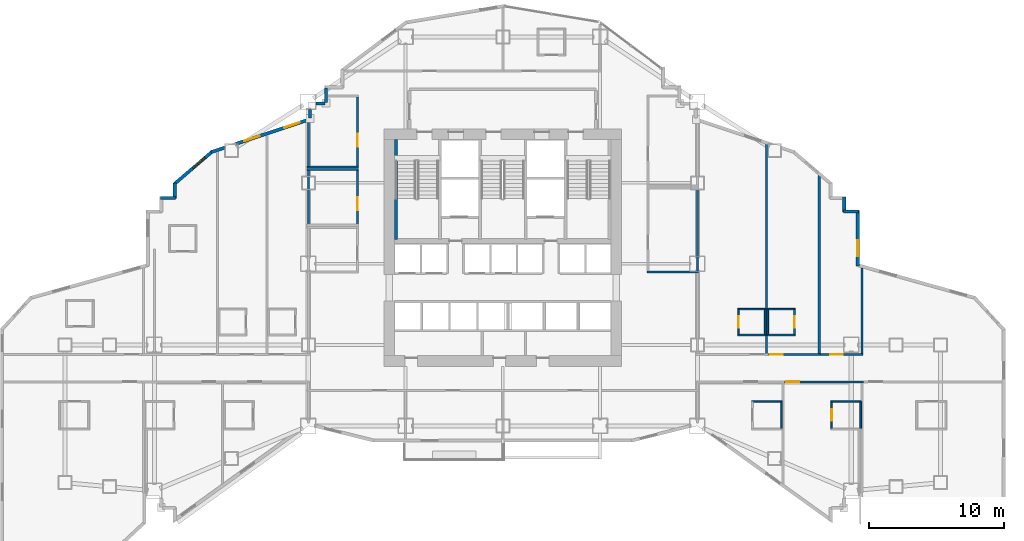
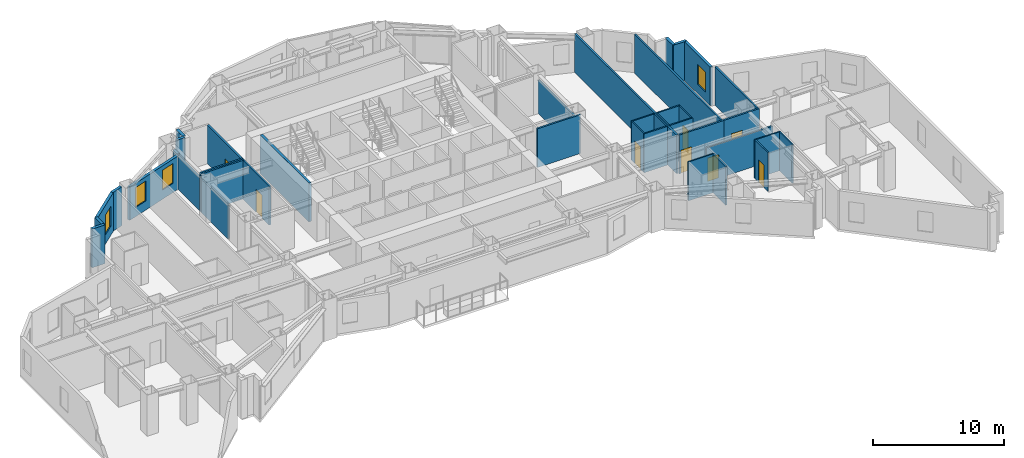
# One storey, part 10 of 15: 39 walls, 8 doors, 4 windows, 12 openings.
"""IFC4 building model written with IfcOpenShell, lengths in metres."""

from ifc_helpers import new_model, si_unit, direction, frame, frame_2d, origin, place, context, subcontext, project, spatial, rectangle, extrude, material, layer, layer_set, type_object, element, fill, save


model = new_model("IFC4")

# Units and contexts
model_context = context("Model", 3, precision=1e-05, world=origin(), true_north=direction((0.0, 1.0)))
body_context = subcontext(model_context, "Body", "Model", "MODEL_VIEW")
ifc_project = project(units=[si_unit("LENGTHUNIT", "METRE"), si_unit("AREAUNIT", "SQUARE_METRE"), si_unit("VOLUMEUNIT", "CUBIC_METRE"), si_unit("PLANEANGLEUNIT", "RADIAN"), si_unit("MASSUNIT", "GRAM", prefix="KILO")], contexts=[model_context])

# Site, building, storey
site_placement = place(None, origin())
site = spatial("IfcSite", under=ifc_project, at=site_placement, CompositionType="ELEMENT")
building_placement = place(site_placement, origin())
building = spatial("IfcBuilding", under=site, at=building_placement, Name="Haolan Belvedere Tower", CompositionType="ELEMENT")
storey_placement = place(building_placement, frame((0.0, 0.0, 66.60009765625)))
storey = spatial("IfcBuildingStorey", under=building, at=storey_placement, Name="L16", CompositionType="ELEMENT", Elevation=66.60009765625)

# Wall, opening, window
ifc_material_1 = material(Name="Precast concrete C40/50", Category="concrete")
ifc_layer_1 = layer(ifc_material_1, 0.239990234375, Name="Precast concrete C40/50")
ifc_layer_set_1 = layer_set([ifc_layer_1], Name="Precast concrete C40/50")
wall_type_1 = type_object("IfcWallType", Name="WL-EXT-240", PredefinedType="SOLIDWALL", material=ifc_layer_set_1)
wall_1_placement = place(storey_placement, frame((64.679931640625, 33.453857421875, 0.0), z_axis=(0.0, 0.0, 1.0), x_axis=(0.0, 1.0, 0.0)))
wall_1 = element("IfcWall", 1, at=wall_1_placement, inside=storey, type_object=wall_type_1, Name="L16 pale-metal exterior spandrel wall 29.1", PredefinedType="SOLIDWALL", context=body_context, shape_type="SweptSolid", body=[
    extrude(rectangle(XDim=4.0810546875, YDim=0.239990234375, at=frame_2d((2.04052734375, 0.0))), origin(), (0.0, 0.0, 1.0), 3.599853515625),
])
opening_1_placement = place(wall_1_placement, frame((0.699951171875, 0.0, 0.85009765625)))
opening_1 = element("IfcOpeningElement", 2, at=opening_1_placement, cuts=wall_1, Name="Opening W-01", PredefinedType="OPENING", context=body_context, shape_type="SweptSolid", body=[
    extrude(rectangle(XDim=1.199951171875, YDim=1.85009765625, at=frame_2d((0.60009765625, 0.925048828125))), frame((0.0, 0.1298828125, 0.0), z_axis=(0.0, -1.0, 0.0), x_axis=(1.0, 0.0, 0.0)), (0.0, 0.0, 1.0), 0.260009765625),
])
ifc_material_2 = material(Name="Anodised aluminium 6063-T6 and Low-E glass", Category="aluminium")
window_type = type_object("IfcWindowType", Name="WN-DECO-Z1", PartitioningType="SINGLE_PANEL", PredefinedType="WINDOW", material=ifc_material_2)
window_1_placement = place(opening_1_placement, origin())
window_1 = element("IfcWindow", 3, at=window_1_placement, inside=storey, type_object=window_type, Name="L16 Art Deco chevron window 1", OverallHeight=1.85009765625, OverallWidth=1.199951171875, PartitioningType="SINGLE_PANEL", PredefinedType="WINDOW", context=body_context, shape_type="SweptSolid", body=[
    extrude(rectangle(XDim=1.199951171875, YDim=1.85009765625, at=frame_2d((0.60009765625, 0.925048828125))), frame((0.0, 0.030029296875, 0.0), z_axis=(0.0, -1.0, 0.0), x_axis=(1.0, 0.0, 0.0)), (0.0, 0.0, 1.0), 0.06005859375),
])
fill(opening_1, window_1)

# Walls
wall_2_placement = place(storey_placement, frame((64.735107421875, 37.47998046875, 0.0), z_axis=(0.0, 0.0, 1.0), x_axis=(-1.0, 0.0, 0.0)))
element("IfcWall", 4, at=wall_2_placement, inside=storey, type_object=wall_type_1, Name="L16 pale-metal exterior spandrel wall 30.1", PredefinedType="SOLIDWALL", context=body_context, shape_type="SweptSolid", body=[
    extrude(rectangle(XDim=1.110107421875, YDim=0.239990234375, at=frame_2d((0.55517578125, 0.0))), origin(), (0.0, 0.0, 1.0), 3.599853515625),
])
wall_3_placement = place(storey_placement, frame((63.679931640625, 37.425048828125, 0.0), z_axis=(0.0, 0.0, 1.0), x_axis=(0.0, 1.0, 0.0)))
element("IfcWall", 5, at=wall_3_placement, inside=storey, type_object=wall_type_1, Name="L16 pale-metal exterior spandrel wall 31.1", PredefinedType="SOLIDWALL", context=body_context, shape_type="SweptSolid", body=[
    extrude(rectangle(XDim=1.10986328125, YDim=0.239990234375, at=frame_2d((0.554931640625, 0.0))), origin(), (0.0, 0.0, 1.0), 3.599853515625),
])
wall_4_placement = place(storey_placement, frame((25.320068359375, 46.614990234375, 0.0), z_axis=(0.0, 0.0, 1.0), x_axis=(0.0, -1.0, 0.0)))
element("IfcWall", 6, at=wall_4_placement, inside=storey, type_object=wall_type_1, Name="L16 pale-metal exterior spandrel wall 47.1", PredefinedType="SOLIDWALL", context=body_context, shape_type="SweptSolid", body=[
    extrude(rectangle(XDim=1.050048828125, YDim=0.239990234375, at=frame_2d((0.52490234375, 0.0))), origin(), (0.0, 0.0, 1.0), 3.599853515625),
])
wall_5_placement = place(storey_placement, frame((25.235107421875, 45.47998046875, 0.0), z_axis=(0.0, 0.0, 1.0), x_axis=(-1.0, 0.0, 0.0)))
element("IfcWall", 7, at=wall_5_placement, inside=storey, type_object=wall_type_1, Name="L16 pale-metal exterior spandrel wall 48.1", PredefinedType="SOLIDWALL", context=body_context, shape_type="SweptSolid", body=[
    extrude(rectangle(XDim=0.668212890625, YDim=0.239990234375, at=frame_2d((0.333984375, 0.0))), origin(), (0.0, 0.0, 1.0), 3.599853515625),
])
wall_6_placement = place(storey_placement, frame((24.1201171875, 45.032958984375, 0.0), z_axis=(0.0, 0.0, 1.0), x_axis=(0.0, -1.0, 0.0)))
element("IfcWall", 8, at=wall_6_placement, inside=storey, type_object=wall_type_1, Name="L16 pale-metal exterior spandrel wall 49.1", PredefinedType="SOLIDWALL", context=body_context, shape_type="SweptSolid", body=[
    extrude(rectangle(XDim=0.634521484375, YDim=0.239990234375, at=frame_2d((0.3173828125, 0.0))), origin(), (0.0, 0.0, 1.0), 3.096923828125),
])

# Wall, openings, windows
wall_7_placement = place(storey_placement, frame((24.039306640625, 44.28662109375, 0.0), z_axis=(0.0, 0.0, 1.0), x_axis=(-0.948678995954, -0.316240672014, 0.0)))
wall_7 = element("IfcWall", 9, at=wall_7_placement, inside=storey, type_object=wall_type_1, Name="L16 pale-metal exterior spandrel wall 50.1", PredefinedType="SOLIDWALL", context=body_context, shape_type="SweptSolid", body=[
    extrude(rectangle(XDim=5.675048828125, YDim=0.239990234375, at=frame_2d((2.83740234375, 0.0))), origin(), (0.0, 0.0, 1.0), 3.096923828125),
])
opening_2_placement = place(wall_7_placement, frame((0.699951171875, 0.0, 0.85009765625)))
opening_2 = element("IfcOpeningElement", 10, at=opening_2_placement, cuts=wall_7, Name="Opening W-01", PredefinedType="OPENING", context=body_context, shape_type="SweptSolid", body=[
    extrude(rectangle(XDim=1.199951171875, YDim=1.85009765625, at=frame_2d((0.60009765625, 0.925048828125))), frame((0.0, 0.1298828125, 0.0), z_axis=(0.0, -1.0, 0.0), x_axis=(1.0, 0.0, 0.0)), (0.0, 0.0, 1.0), 0.260009765625),
])
opening_3_placement = place(wall_7_placement, frame((3.833984375, 0.0, 0.85009765625)))
opening_3 = element("IfcOpeningElement", 11, at=opening_3_placement, cuts=wall_7, Name="Opening W-01", PredefinedType="OPENING", context=body_context, shape_type="SweptSolid", body=[
    extrude(rectangle(XDim=1.199951171875, YDim=1.85009765625, at=frame_2d((0.60009765625, 0.925048828125))), frame((0.0, 0.1298828125, 0.0), z_axis=(0.0, -1.0, 0.0), x_axis=(1.0, 0.0, 0.0)), (0.0, 0.0, 1.0), 0.260009765625),
])
window_2_placement = place(opening_2_placement, origin())
window_2 = element("IfcWindow", 12, at=window_2_placement, inside=storey, type_object=window_type, Name="L16 Art Deco chevron window 1", OverallHeight=1.85009765625, OverallWidth=1.199951171875, PartitioningType="SINGLE_PANEL", PredefinedType="WINDOW", context=body_context, shape_type="SweptSolid", body=[
    extrude(rectangle(XDim=1.199951171875, YDim=1.85009765625, at=frame_2d((0.60009765625, 0.925048828125))), frame((0.0, 0.030029296875, 0.0), z_axis=(0.0, -1.0, 0.0), x_axis=(1.0, 0.0, 0.0)), (0.0, 0.0, 1.0), 0.06005859375),
])
fill(opening_2, window_2)
window_3_placement = place(opening_3_placement, origin())
window_3 = element("IfcWindow", 13, at=window_3_placement, inside=storey, type_object=window_type, Name="L16 Art Deco guestroom window 1", OverallHeight=1.85009765625, OverallWidth=1.199951171875, PartitioningType="SINGLE_PANEL", PredefinedType="WINDOW", context=body_context, shape_type="SweptSolid", body=[
    extrude(rectangle(XDim=1.199951171875, YDim=1.85009765625, at=frame_2d((0.60009765625, 0.925048828125))), frame((0.0, 0.030029296875, 0.0), z_axis=(0.0, -1.0, 0.0), x_axis=(1.0, 0.0, 0.0)), (0.0, 0.0, 1.0), 0.06005859375),
])
fill(opening_3, window_3)

# Wall
wall_8_placement = place(storey_placement, frame((17.80810546875, 42.20947265625, 0.0), z_axis=(0.0, 0.0, 1.0), x_axis=(-0.948706457285, -0.316158279832, 0.0)))
element("IfcWall", 14, at=wall_8_placement, inside=storey, type_object=wall_type_1, Name="L16 pale-metal exterior spandrel wall 50.2", PredefinedType="SOLIDWALL", context=body_context, shape_type="SweptSolid", body=[
    extrude(rectangle(XDim=1.053955078125, YDim=0.239990234375, at=frame_2d((0.52685546875, 0.0))), origin(), (0.0, 0.0, 1.0), 3.599853515625),
])

# Wall, opening, window
wall_9_placement = place(storey_placement, frame((16.902099609375, 41.929443359375, 0.0), z_axis=(0.0, 0.0, 1.0), x_axis=(-0.759275136126, -0.650769750112, 0.0)))
wall_9 = element("IfcWall", 15, at=wall_9_placement, inside=storey, type_object=wall_type_1, Name="L16 pale-metal exterior spandrel wall 51.1", PredefinedType="SOLIDWALL", context=body_context, shape_type="SweptSolid", body=[
    extrude(rectangle(XDim=3.71923828125, YDim=0.239990234375, at=frame_2d((1.859619140625, 0.0))), origin(), (0.0, 0.0, 1.0), 3.599853515625),
])
opening_4_placement = place(wall_9_placement, frame((0.699951171875, 0.0, 0.85009765625)))
opening_4 = element("IfcOpeningElement", 16, at=opening_4_placement, cuts=wall_9, Name="Opening W-01", PredefinedType="OPENING", context=body_context, shape_type="SweptSolid", body=[
    extrude(rectangle(XDim=1.199951171875, YDim=1.85009765625, at=frame_2d((0.60009765625, 0.925048828125))), frame((0.0, 0.1298828125, 0.0), z_axis=(0.0, -1.0, 0.0), x_axis=(1.0, 0.0, 0.0)), (0.0, 0.0, 1.0), 0.260009765625),
])
window_4_placement = place(opening_4_placement, origin())
window_4 = element("IfcWindow", 17, at=window_4_placement, inside=storey, type_object=window_type, Name="L16 Art Deco chevron window 1", OverallHeight=1.85009765625, OverallWidth=1.199951171875, PartitioningType="SINGLE_PANEL", PredefinedType="WINDOW", context=body_context, shape_type="SweptSolid", body=[
    extrude(rectangle(XDim=1.199951171875, YDim=1.85009765625, at=frame_2d((0.60009765625, 0.925048828125))), frame((0.0, 0.030029296875, 0.0), z_axis=(0.0, -1.0, 0.0), x_axis=(1.0, 0.0, 0.0)), (0.0, 0.0, 1.0), 0.06005859375),
])
fill(opening_4, window_4)

# Walls
wall_10_placement = place(storey_placement, frame((14.1201171875, 39.599853515625, 0.0), z_axis=(0.0, 0.0, 1.0), x_axis=(0.0, -1.0, 0.0)))
element("IfcWall", 18, at=wall_10_placement, inside=storey, type_object=wall_type_1, Name="L16 pale-metal exterior spandrel wall 52.1", PredefinedType="SOLIDWALL", context=body_context, shape_type="SweptSolid", body=[
    extrude(rectangle(XDim=1.1748046875, YDim=0.239990234375, at=frame_2d((0.58740234375, 0.0))), origin(), (0.0, 0.0, 1.0), 3.599853515625),
])
wall_11_placement = place(storey_placement, frame((14.175048828125, 38.47998046875, 0.0), z_axis=(0.0, 0.0, 1.0), x_axis=(-1.0, 0.0, 0.0)))
element("IfcWall", 19, at=wall_11_placement, inside=storey, type_object=wall_type_1, Name="L16 pale-metal exterior spandrel wall 53.1", PredefinedType="SOLIDWALL", context=body_context, shape_type="SweptSolid", body=[
    extrude(rectangle(XDim=1.110107421875, YDim=0.239990234375, at=frame_2d((0.55517578125, 0.0))), origin(), (0.0, 0.0, 1.0), 3.599853515625),
])
ifc_material_3 = material(Name="Double gypsum acoustic stud partition", Category="masonry")
ifc_layer_2 = layer(ifc_material_3, 0.14990234375, Name="Double gypsum acoustic stud partition")
ifc_layer_set_2 = layer_set([ifc_layer_2], Name="Double gypsum acoustic stud partition")
wall_type_2 = type_object("IfcWallType", Name="WL-PART-150", PredefinedType="PARTITIONING", material=ifc_layer_set_2)
wall_12_placement = place(storey_placement, frame((23.919921875, 40.60009765625, 0.0), z_axis=(0.0, 0.0, 1.0), x_axis=(1.0, 0.0, 0.0)))
element("IfcWall", 20, at=wall_12_placement, inside=storey, type_object=wall_type_2, Name="L16 interior partition IW-L16-PNT-N", PredefinedType="PARTITIONING", context=body_context, shape_type="SweptSolid", body=[
    extrude(rectangle(XDim=3.800048828125, YDim=0.14990234375, at=frame_2d((1.89990234375, 0.0))), origin(), (0.0, 0.0, 1.0), 3.599853515625),
])
wall_13_placement = place(storey_placement, frame((24.0, 36.52001953125, 0.0), z_axis=(0.0, 0.0, 1.0), x_axis=(0.0, 1.0, 0.0)))
element("IfcWall", 21, at=wall_13_placement, inside=storey, type_object=wall_type_2, Name="L16 interior partition IW-L16-PNT-W", PredefinedType="PARTITIONING", context=body_context, shape_type="SweptSolid", body=[
    extrude(rectangle(XDim=4.02001953125, YDim=0.14990234375, at=frame_2d((2.010009765625, 0.0))), origin(), (0.0, 0.0, 1.0), 3.096923828125),
])

# Wall, opening, door
wall_14_placement = place(storey_placement, frame((27.639892578125, 36.52001953125, 0.0), z_axis=(0.0, 0.0, 1.0), x_axis=(0.0, 1.0, 0.0)))
wall_14 = element("IfcWall", 22, at=wall_14_placement, inside=storey, type_object=wall_type_2, Name="L16 interior partition IW-L16-PNT-E", PredefinedType="PARTITIONING", context=body_context, shape_type="SweptSolid", body=[
    extrude(rectangle(XDim=4.02001953125, YDim=0.14990234375, at=frame_2d((2.010009765625, 0.0))), origin(), (0.0, 0.0, 1.0), 3.599853515625),
])
opening_5_placement = place(wall_14_placement, frame((2.010009765625, 0.0, 0.0), z_axis=(0.0, 0.0, 1.0), x_axis=(-1.0, 0.0, 0.0)))
opening_5 = element("IfcOpeningElement", 23, at=opening_5_placement, cuts=wall_14, Name="Opening ID-03", PredefinedType="OPENING", context=body_context, shape_type="SweptSolid", body=[
    extrude(rectangle(XDim=0.949951171875, YDim=2.1201171875, at=frame_2d((0.47509765625, 1.06005859375))), frame((0.0, 0.0849609375, 0.0), z_axis=(0.0, -1.0, 0.0), x_axis=(1.0, 0.0, 0.0)), (0.0, 0.0, 1.0), 0.169921875),
])
ifc_material_4 = material(Name="Painted solid-core timber", Category="wood")
door_type_1 = type_object("IfcDoorType", Name="DR-INT-950", OperationType="NOTDEFINED", PredefinedType="DOOR", material=ifc_material_4)
door_1_placement = place(opening_5_placement, origin())
door_1 = element("IfcDoor", 24, at=door_1_placement, inside=storey, type_object=door_type_1, Name="L16 door ID-L16-PNT", OperationType="SINGLE_SWING_RIGHT", OverallHeight=2.1201171875, OverallWidth=0.949951171875, PredefinedType="DOOR", context=body_context, shape_type="SweptSolid", body=[
    extrude(rectangle(XDim=0.949951171875, YDim=2.1201171875, at=frame_2d((0.47509765625, 1.06005859375))), frame((0.0, 0.02490234375, 0.0), z_axis=(0.0, -1.0, 0.0), x_axis=(1.0, 0.0, 0.0)), (0.0, 0.0, 1.0), 0.050048828125),
])
fill(opening_5, door_1)

# Walls
wall_15_placement = place(storey_placement, frame((23.919921875, 40.760009765625, 0.0), z_axis=(0.0, 0.0, 1.0), x_axis=(1.0, 0.0, 0.0)))
element("IfcWall", 25, at=wall_15_placement, inside=storey, type_object=wall_type_2, Name="L16 interior partition IW-L16-STY-S", PredefinedType="PARTITIONING", context=body_context, shape_type="SweptSolid", body=[
    extrude(rectangle(XDim=3.800048828125, YDim=0.14990234375, at=frame_2d((1.89990234375, 0.0))), origin(), (0.0, 0.0, 1.0), 3.599853515625),
])
wall_16_placement = place(storey_placement, frame((24.0, 40.820068359375, 0.0), z_axis=(0.0, 0.0, 1.0), x_axis=(0.0, 1.0, 0.0)))
element("IfcWall", 26, at=wall_16_placement, inside=storey, type_object=wall_type_2, Name="L16 interior partition IW-L16-STY-W", PredefinedType="PARTITIONING", context=body_context, shape_type="SweptSolid", body=[
    extrude(rectangle(XDim=3.3427734375, YDim=0.14990234375, at=frame_2d((1.67138671875, 0.0))), origin(), (0.0, 0.0, 1.0), 3.096923828125),
])

# Wall, opening, door
wall_17_placement = place(storey_placement, frame((27.639892578125, 40.820068359375, 0.0), z_axis=(0.0, 0.0, 1.0), x_axis=(0.0, 1.0, 0.0)))
wall_17 = element("IfcWall", 27, at=wall_17_placement, inside=storey, type_object=wall_type_2, Name="L16 interior partition IW-L16-STY-E", PredefinedType="PARTITIONING", context=body_context, shape_type="SweptSolid", body=[
    extrude(rectangle(XDim=5.139892578125, YDim=0.14990234375, at=frame_2d((2.56982421875, 0.0))), origin(), (0.0, 0.0, 1.0), 3.599853515625),
])
opening_6_placement = place(wall_17_placement, frame((2.409912109375, 0.0, 0.0), z_axis=(0.0, 0.0, 1.0), x_axis=(-1.0, 0.0, 0.0)))
opening_6 = element("IfcOpeningElement", 28, at=opening_6_placement, cuts=wall_17, Name="Opening ID-03", PredefinedType="OPENING", context=body_context, shape_type="SweptSolid", body=[
    extrude(rectangle(XDim=0.949951171875, YDim=2.1201171875, at=frame_2d((0.47509765625, 1.06005859375))), frame((0.0, 0.0849609375, 0.0), z_axis=(0.0, -1.0, 0.0), x_axis=(1.0, 0.0, 0.0)), (0.0, 0.0, 1.0), 0.169921875),
])
door_2_placement = place(opening_6_placement, origin())
door_2 = element("IfcDoor", 29, at=door_2_placement, inside=storey, type_object=door_type_1, Name="L16 door ID-L16-STY", OperationType="SINGLE_SWING_LEFT", OverallHeight=2.1201171875, OverallWidth=0.949951171875, PredefinedType="DOOR", context=body_context, shape_type="SweptSolid", body=[
    extrude(rectangle(XDim=0.949951171875, YDim=2.1201171875, at=frame_2d((0.47509765625, 1.06005859375))), frame((0.0, 0.02490234375, 0.0), z_axis=(0.0, -1.0, 0.0), x_axis=(1.0, 0.0, 0.0)), (0.0, 0.0, 1.0), 0.050048828125),
])
fill(opening_6, door_2)

# Walls
wall_18_placement = place(storey_placement, frame((49.080078125, 33.0, 0.0), z_axis=(0.0, 0.0, 1.0), x_axis=(1.0, 0.0, 0.0)))
element("IfcWall", 30, at=wall_18_placement, inside=storey, type_object=wall_type_2, Name="L16 interior partition IW-L16-HSK-S", PredefinedType="PARTITIONING", context=body_context, shape_type="SweptSolid", body=[
    extrude(rectangle(XDim=3.7998046875, YDim=0.14990234375, at=frame_2d((1.89990234375, 0.0))), origin(), (0.0, 0.0, 1.0), 3.599853515625),
])
wall_19_placement = place(storey_placement, frame((52.800048828125, 33.06005859375, 0.0), z_axis=(0.0, 0.0, 1.0), x_axis=(0.0, 1.0, 0.0)))
element("IfcWall", 31, at=wall_19_placement, inside=storey, type_object=wall_type_2, Name="L16 interior partition IW-L16-HSK-E", PredefinedType="PARTITIONING", context=body_context, shape_type="SweptSolid", body=[
    extrude(rectangle(XDim=6.079833984375, YDim=0.14990234375, at=frame_2d((3.0400390625, 0.0))), origin(), (0.0, 0.0, 1.0), 3.096923828125),
])
wall_20_placement = place(storey_placement, frame((57.919921875, 26.93994140625, 0.0), z_axis=(0.0, 0.0, 1.0), x_axis=(0.0, 1.0, 0.0)))
element("IfcWall", 32, at=wall_20_placement, inside=storey, type_object=wall_type_2, Name="L16 interior partition IW-L16-T4N1-E", PredefinedType="PARTITIONING", context=body_context, shape_type="SweptSolid", body=[
    extrude(rectangle(XDim=15.516357421875, YDim=0.14990234375, at=frame_2d((7.75830078125, 0.0))), origin(), (0.0, 0.0, 1.0), 3.599853515625),
])

# Wall, opening, door
wall_21_placement = place(storey_placement, frame((58.02197265625, 26.8798828125, 0.0), z_axis=(0.0, 0.0, 1.0), x_axis=(1.0, 0.0, 0.0)))
wall_21 = element("IfcWall", 33, at=wall_21_placement, inside=storey, type_object=wall_type_2, Name="L16 interior partition IW-L16-T4N2-S", PredefinedType="PARTITIONING", context=body_context, shape_type="SweptSolid", body=[
    extrude(rectangle(XDim=3.907958984375, YDim=0.14990234375, at=frame_2d((1.9541015625, 0.0))), origin(), (0.0, 0.0, 1.0), 3.599853515625),
])
opening_7_placement = place(wall_21_placement, frame((0.139892578125, 0.0, 0.0)))
opening_7 = element("IfcOpeningElement", 34, at=opening_7_placement, cuts=wall_21, Name="Opening ID-02", PredefinedType="OPENING", context=body_context, shape_type="SweptSolid", body=[
    extrude(rectangle(XDim=0.949951171875, YDim=2.14990234375, at=frame_2d((0.47509765625, 1.074951171875))), frame((0.0, 0.0849609375, 0.0), z_axis=(0.0, -1.0, 0.0), x_axis=(1.0, 0.0, 0.0)), (0.0, 0.0, 1.0), 0.169921875),
])
ifc_material_5 = material(Name="Acoustic oak veneer fire-rated timber", Category="wood")
door_type_2 = type_object("IfcDoorType", Name="DR-GUEST-950", OperationType="NOTDEFINED", PredefinedType="DOOR", material=ifc_material_5)
door_3_placement = place(opening_7_placement, origin())
door_3 = element("IfcDoor", 35, at=door_3_placement, inside=storey, type_object=door_type_2, Name="L16 door ID-L16-T4N2-ENT", OperationType="SINGLE_SWING_RIGHT", OverallHeight=2.14990234375, OverallWidth=0.949951171875, PredefinedType="DOOR", context=body_context, shape_type="SweptSolid", body=[
    extrude(rectangle(XDim=0.949951171875, YDim=2.14990234375, at=frame_2d((0.47509765625, 1.074951171875))), frame((0.0, 0.02490234375, 0.0), z_axis=(0.0, -1.0, 0.0), x_axis=(1.0, 0.0, 0.0)), (0.0, 0.0, 1.0), 0.050048828125),
])
fill(opening_7, door_3)

# Wall
wall_22_placement = place(storey_placement, frame((61.830078125, 26.93994140625, 0.0), z_axis=(0.0, 0.0, 1.0), x_axis=(0.0, 1.0, 0.0)))
element("IfcWall", 36, at=wall_22_placement, inside=storey, type_object=wall_type_2, Name="L16 interior partition IW-L16-T4N2-E", PredefinedType="PARTITIONING", context=body_context, shape_type="SweptSolid", body=[
    extrude(rectangle(XDim=13.195068359375, YDim=0.14990234375, at=frame_2d((6.59765625, 0.0))), origin(), (0.0, 0.0, 1.0), 3.599853515625),
])

# Wall, opening, door
wall_23_placement = place(storey_placement, frame((61.931884765625, 26.8798828125, 0.0), z_axis=(0.0, 0.0, 1.0), x_axis=(1.0, 0.0, 0.0)))
wall_23 = element("IfcWall", 37, at=wall_23_placement, inside=storey, type_object=wall_type_2, Name="L16 interior partition IW-L16-T4N3-S", PredefinedType="PARTITIONING", context=body_context, shape_type="SweptSolid", body=[
    extrude(rectangle(XDim=3.148193359375, YDim=0.14990234375, at=frame_2d((1.57421875, 0.0))), origin(), (0.0, 0.0, 1.0), 3.599853515625),
])
opening_8_placement = place(wall_23_placement, frame((0.696533203125, 0.0, 0.0)))
opening_8 = element("IfcOpeningElement", 38, at=opening_8_placement, cuts=wall_23, Name="Opening ID-03", PredefinedType="OPENING", context=body_context, shape_type="SweptSolid", body=[
    extrude(rectangle(XDim=0.949951171875, YDim=2.1201171875, at=frame_2d((0.47509765625, 1.06005859375))), frame((0.0, 0.0849609375, 0.0), z_axis=(0.0, -1.0, 0.0), x_axis=(1.0, 0.0, 0.0)), (0.0, 0.0, 1.0), 0.169921875),
])
door_4_placement = place(opening_8_placement, origin())
door_4 = element("IfcDoor", 39, at=door_4_placement, inside=storey, type_object=door_type_1, Name="L16 door ID-L16-T4N3", OperationType="SINGLE_SWING_LEFT", OverallHeight=2.1201171875, OverallWidth=0.949951171875, PredefinedType="DOOR", context=body_context, shape_type="SweptSolid", body=[
    extrude(rectangle(XDim=0.949951171875, YDim=2.1201171875, at=frame_2d((0.47509765625, 1.06005859375))), frame((0.0, 0.02490234375, 0.0), z_axis=(0.0, -1.0, 0.0), x_axis=(1.0, 0.0, 0.0)), (0.0, 0.0, 1.0), 0.050048828125),
])
fill(opening_8, door_4)

# Wall
wall_24_placement = place(storey_placement, frame((65.0, 26.93994140625, 0.0), z_axis=(0.0, 0.0, 1.0), x_axis=(0.0, 1.0, 0.0)))
element("IfcWall", 40, at=wall_24_placement, inside=storey, type_object=wall_type_2, Name="L16 interior partition IW-L16-T4N3-E", PredefinedType="PARTITIONING", context=body_context, shape_type="SweptSolid", body=[
    extrude(rectangle(XDim=6.37060546875, YDim=0.14990234375, at=frame_2d((3.185302734375, 0.0))), origin(), (0.0, 0.0, 1.0), 3.599853515625),
])

# Wall, opening, door
wall_25_placement = place(storey_placement, frame((59.241943359375, 24.8701171875, 0.0), z_axis=(0.0, 0.0, 1.0), x_axis=(1.0, 0.0, 0.0)))
wall_25 = element("IfcWall", 41, at=wall_25_placement, inside=storey, type_object=wall_type_2, Name="L16 interior partition IW-L16-T4S2-N", PredefinedType="PARTITIONING", context=body_context, shape_type="SweptSolid", body=[
    extrude(rectangle(XDim=5.858154296875, YDim=0.14990234375, at=frame_2d((2.92919921875, 0.0))), origin(), (0.0, 0.0, 1.0), 3.184814453125),
])
opening_9_placement = place(wall_25_placement, frame((1.08984375, 0.0, 0.0), z_axis=(0.0, 0.0, 1.0), x_axis=(-1.0, 0.0, 0.0)))
opening_9 = element("IfcOpeningElement", 42, at=opening_9_placement, cuts=wall_25, Name="Opening ID-01", PredefinedType="OPENING", context=body_context, shape_type="SweptSolid", body=[
    extrude(rectangle(XDim=0.949951171875, YDim=2.179931640625, at=frame_2d((0.47509765625, 1.08984375))), frame((0.0, 0.0849609375, 0.0), z_axis=(0.0, -1.0, 0.0), x_axis=(1.0, 0.0, 0.0)), (0.0, 0.0, 1.0), 0.169921875),
])
ifc_material_6 = material(Name="Acoustic walnut veneer fire-rated timber", Category="wood")
door_type_3 = type_object("IfcDoorType", Name="DR-SUITE-950", OperationType="NOTDEFINED", PredefinedType="DOOR", material=ifc_material_6)
door_5_placement = place(opening_9_placement, origin())
door_5 = element("IfcDoor", 43, at=door_5_placement, inside=storey, type_object=door_type_3, Name="L16 door ID-L16-T4S2-ENT", OperationType="SINGLE_SWING_LEFT", OverallHeight=2.179931640625, OverallWidth=0.949951171875, PredefinedType="DOOR", context=body_context, shape_type="SweptSolid", body=[
    extrude(rectangle(XDim=0.949951171875, YDim=2.179931640625, at=frame_2d((0.47509765625, 1.08984375))), frame((0.0, 0.02490234375, 0.0), z_axis=(0.0, -1.0, 0.0), x_axis=(1.0, 0.0, 0.0)), (0.0, 0.0, 1.0), 0.050048828125),
])
fill(opening_9, door_5)

# Walls
ifc_material_7 = material(Name="Concrete C50/60", Category="concrete")
ifc_layer_3 = layer(ifc_material_7, 0.219970703125, Name="Concrete C50/60")
ifc_layer_set_3 = layer_set([ifc_layer_3], Name="Concrete C50/60")
wall_type_3 = type_object("IfcWallType", Name="WL-STAIR-220", PredefinedType="SHEAR", material=ifc_layer_set_3)
wall_26_placement = place(storey_placement, frame((30.511962890625, 35.389892578125, 0.0), z_axis=(0.0, 0.0, 1.0), x_axis=(0.0, 1.0, 0.0)))
element("IfcWall", 44, at=wall_26_placement, inside=storey, type_object=wall_type_3, Name="L16 structural stair core wall ST1W", PredefinedType="SHEAR", context=body_context, shape_type="SweptSolid", body=[
    extrude(rectangle(XDim=7.41015625, YDim=0.219970703125, at=frame_2d((3.705078125, 0.0))), origin(), (0.0, 0.0, 1.0), 3.599853515625),
])
ifc_material_8 = material(Name="Moisture-resistant gypsum tile partition", Category="masonry")
ifc_layer_4 = layer(ifc_material_8, 0.1201171875, Name="Moisture-resistant gypsum tile partition")
ifc_layer_set_4 = layer_set([ifc_layer_4], Name="Moisture-resistant gypsum tile partition")
wall_type_4 = type_object("IfcWallType", Name="WL-WET-120", PredefinedType="PARTITIONING", material=ifc_layer_set_4)
for number, where, z_axis, x_axis, name in (
    (45, (55.780029296875, 30.25, 0.0), (0.0, 0.0, 1.0), (1.0, 0.0, 0.0), "L16 interior partition IW-L16-T4N1-BN"),
    (46, (55.780029296875, 28.330078125, 0.0), (0.0, 0.0, 1.0), (1.0, 0.0, 0.0), "L16 interior partition IW-L16-T4N1-BS"),
):
    element("IfcWall", number, at=place(storey_placement, frame(where, z_axis=z_axis, x_axis=x_axis)), inside=storey, type_object=wall_type_4, Name=name, PredefinedType="PARTITIONING", context=body_context, shape_type="SweptSolid", body=[
        extrude(rectangle(XDim=2.080078125, YDim=0.1201171875, at=frame_2d((1.0400390625, 0.0))), origin(), (0.0, 0.0, 1.0), 3.599853515625),
    ])

# Wall, opening, door
wall_27_placement = place(storey_placement, frame((55.840087890625, 28.375, 0.0), z_axis=(0.0, 0.0, 1.0), x_axis=(0.0, 1.0, 0.0)))
wall_27 = element("IfcWall", 47, at=wall_27_placement, inside=storey, type_object=wall_type_4, Name="L16 interior partition IW-L16-T4N1-BW", PredefinedType="PARTITIONING", context=body_context, shape_type="SweptSolid", body=[
    extrude(rectangle(XDim=1.830078125, YDim=0.1201171875, at=frame_2d((0.9150390625, 0.0))), origin(), (0.0, 0.0, 1.0), 3.599853515625),
])
opening_10_placement = place(wall_27_placement, frame((1.340087890625, 0.0, 0.0), z_axis=(0.0, 0.0, 1.0), x_axis=(-1.0, 0.0, 0.0)))
opening_10 = element("IfcOpeningElement", 48, at=opening_10_placement, cuts=wall_27, Name="Opening ID-05", PredefinedType="OPENING", context=body_context, shape_type="SweptSolid", body=[
    extrude(rectangle(XDim=0.85009765625, YDim=2.10009765625, at=frame_2d((0.425048828125, 1.050048828125))), frame((0.0, 0.070068359375, 0.0), z_axis=(0.0, -1.0, 0.0), x_axis=(1.0, 0.0, 0.0)), (0.0, 0.0, 1.0), 0.14013671875),
])
ifc_material_9 = material(Name="Moisture-resistant lacquered timber", Category="wood")
door_type_4 = type_object("IfcDoorType", Name="DR-BATH-850", OperationType="NOTDEFINED", PredefinedType="DOOR", material=ifc_material_9)
door_6_placement = place(opening_10_placement, origin())
door_6 = element("IfcDoor", 49, at=door_6_placement, inside=storey, type_object=door_type_4, Name="L16 door ID-L16-T4N1-BATH", OperationType="SINGLE_SWING_RIGHT", OverallHeight=2.10009765625, OverallWidth=0.85009765625, PredefinedType="DOOR", context=body_context, shape_type="SweptSolid", body=[
    extrude(rectangle(XDim=0.85009765625, YDim=2.10009765625, at=frame_2d((0.425048828125, 1.050048828125))), frame((0.0, 0.02490234375, 0.0), z_axis=(0.0, -1.0, 0.0), x_axis=(1.0, 0.0, 0.0)), (0.0, 0.0, 1.0), 0.050048828125),
])
fill(opening_10, door_6)

# Walls
wall_28_placement = place(storey_placement, frame((57.820068359375, 28.375, 0.0), z_axis=(0.0, 0.0, 1.0), x_axis=(0.0, 1.0, 0.0)))
element("IfcWall", 50, at=wall_28_placement, inside=storey, type_object=wall_type_4, Name="L16 interior partition IW-L16-T4N1-BE", PredefinedType="PARTITIONING", context=body_context, shape_type="SweptSolid", body=[
    extrude(rectangle(XDim=1.830078125, YDim=0.1201171875, at=frame_2d((0.9150390625, 0.0))), origin(), (0.0, 0.0, 1.0), 3.599853515625),
])
for number, where, z_axis, x_axis, name in (
    (51, (57.97998046875, 30.25, 0.0), (0.0, 0.0, 1.0), (1.0, 0.0, 0.0), "L16 interior partition IW-L16-T4N2-BN"),
    (52, (57.97998046875, 28.330078125, 0.0), (0.0, 0.0, 1.0), (1.0, 0.0, 0.0), "L16 interior partition IW-L16-T4N2-BS"),
):
    element("IfcWall", number, at=place(storey_placement, frame(where, z_axis=z_axis, x_axis=x_axis)), inside=storey, type_object=wall_type_4, Name=name, PredefinedType="PARTITIONING", context=body_context, shape_type="SweptSolid", body=[
        extrude(rectangle(XDim=2.080078125, YDim=0.1201171875, at=frame_2d((1.0400390625, 0.0))), origin(), (0.0, 0.0, 1.0), 3.599853515625),
    ])
wall_29_placement = place(storey_placement, frame((58.02001953125, 28.375, 0.0), z_axis=(0.0, 0.0, 1.0), x_axis=(0.0, 1.0, 0.0)))
element("IfcWall", 53, at=wall_29_placement, inside=storey, type_object=wall_type_4, Name="L16 interior partition IW-L16-T4N2-BW", PredefinedType="PARTITIONING", context=body_context, shape_type="SweptSolid", body=[
    extrude(rectangle(XDim=1.830078125, YDim=0.1201171875, at=frame_2d((0.9150390625, 0.0))), origin(), (0.0, 0.0, 1.0), 3.599853515625),
])

# Wall, opening, door
wall_30_placement = place(storey_placement, frame((60.0, 28.375, 0.0), z_axis=(0.0, 0.0, 1.0), x_axis=(0.0, 1.0, 0.0)))
wall_30 = element("IfcWall", 54, at=wall_30_placement, inside=storey, type_object=wall_type_4, Name="L16 interior partition IW-L16-T4N2-BE", PredefinedType="PARTITIONING", context=body_context, shape_type="SweptSolid", body=[
    extrude(rectangle(XDim=1.830078125, YDim=0.1201171875, at=frame_2d((0.9150390625, 0.0))), origin(), (0.0, 0.0, 1.0), 3.599853515625),
])
opening_11_placement = place(wall_30_placement, frame((0.489990234375, 0.0, 0.0)))
opening_11 = element("IfcOpeningElement", 55, at=opening_11_placement, cuts=wall_30, Name="Opening ID-05", PredefinedType="OPENING", context=body_context, shape_type="SweptSolid", body=[
    extrude(rectangle(XDim=0.85009765625, YDim=2.10009765625, at=frame_2d((0.425048828125, 1.050048828125))), frame((0.0, 0.070068359375, 0.0), z_axis=(0.0, -1.0, 0.0), x_axis=(1.0, 0.0, 0.0)), (0.0, 0.0, 1.0), 0.14013671875),
])
door_7_placement = place(opening_11_placement, origin())
door_7 = element("IfcDoor", 56, at=door_7_placement, inside=storey, type_object=door_type_4, Name="L16 door ID-L16-T4N2-BATH", OperationType="SINGLE_SWING_LEFT", OverallHeight=2.10009765625, OverallWidth=0.85009765625, PredefinedType="DOOR", context=body_context, shape_type="SweptSolid", body=[
    extrude(rectangle(XDim=0.85009765625, YDim=2.10009765625, at=frame_2d((0.425048828125, 1.050048828125))), frame((0.0, 0.02490234375, 0.0), z_axis=(0.0, -1.0, 0.0), x_axis=(1.0, 0.0, 0.0)), (0.0, 0.0, 1.0), 0.050048828125),
])
fill(opening_11, door_7)

# Walls
wall_31_placement = place(storey_placement, frame((56.830078125, 23.419921875, 0.0), z_axis=(0.0, 0.0, 1.0), x_axis=(1.0, 0.0, 0.0)))
element("IfcWall", 57, at=wall_31_placement, inside=storey, type_object=wall_type_4, Name="L16 interior partition IW-L16-T4S1-BN", PredefinedType="PARTITIONING", context=body_context, shape_type="SweptSolid", body=[
    extrude(rectangle(XDim=2.25, YDim=0.1201171875, at=frame_2d((1.125, 0.0))), origin(), (0.0, 0.0, 1.0), 3.599853515625),
])
wall_32_placement = place(storey_placement, frame((59.0400390625, 21.4150390625, 0.0), z_axis=(0.0, 0.0, 1.0), x_axis=(0.0, 1.0, 0.0)))
element("IfcWall", 58, at=wall_32_placement, inside=storey, type_object=wall_type_4, Name="L16 interior partition IW-L16-T4S1-BE", PredefinedType="PARTITIONING", context=body_context, shape_type="SweptSolid", body=[
    extrude(rectangle(XDim=1.9599609375, YDim=0.1201171875, at=frame_2d((0.97998046875, 0.0))), origin(), (0.0, 0.0, 1.0), 3.599853515625),
])
wall_33_placement = place(storey_placement, frame((62.68994140625, 23.419921875, 0.0), z_axis=(0.0, 0.0, 1.0), x_axis=(1.0, 0.0, 0.0)))
element("IfcWall", 59, at=wall_33_placement, inside=storey, type_object=wall_type_4, Name="L16 interior partition IW-L16-T4S2-BN", PredefinedType="PARTITIONING", context=body_context, shape_type="SweptSolid", body=[
    extrude(rectangle(XDim=2.25, YDim=0.1201171875, at=frame_2d((1.125, 0.0))), origin(), (0.0, 0.0, 1.0), 3.599853515625),
])

# Wall, opening, door
wall_34_placement = place(storey_placement, frame((62.75, 21.4150390625, 0.0), z_axis=(0.0, 0.0, 1.0), x_axis=(0.0, 1.0, 0.0)))
wall_34 = element("IfcWall", 60, at=wall_34_placement, inside=storey, type_object=wall_type_4, Name="L16 interior partition IW-L16-T4S2-BW", PredefinedType="PARTITIONING", context=body_context, shape_type="SweptSolid", body=[
    extrude(rectangle(XDim=1.9599609375, YDim=0.1201171875, at=frame_2d((0.97998046875, 0.0))), origin(), (0.0, 0.0, 1.0), 3.599853515625),
])
opening_12_placement = place(wall_34_placement, frame((1.405029296875, 0.0, 0.0), z_axis=(0.0, 0.0, 1.0), x_axis=(-1.0, 0.0, 0.0)))
opening_12 = element("IfcOpeningElement", 61, at=opening_12_placement, cuts=wall_34, Name="Opening ID-05", PredefinedType="OPENING", context=body_context, shape_type="SweptSolid", body=[
    extrude(rectangle(XDim=0.85009765625, YDim=2.10009765625, at=frame_2d((0.425048828125, 1.050048828125))), frame((0.0, 0.070068359375, 0.0), z_axis=(0.0, -1.0, 0.0), x_axis=(1.0, 0.0, 0.0)), (0.0, 0.0, 1.0), 0.14013671875),
])
door_8_placement = place(opening_12_placement, origin())
door_8 = element("IfcDoor", 62, at=door_8_placement, inside=storey, type_object=door_type_4, Name="L16 door ID-L16-T4S2-BATH", OperationType="SINGLE_SWING_RIGHT", OverallHeight=2.10009765625, OverallWidth=0.85009765625, PredefinedType="DOOR", context=body_context, shape_type="SweptSolid", body=[
    extrude(rectangle(XDim=0.85009765625, YDim=2.10009765625, at=frame_2d((0.425048828125, 1.050048828125))), frame((0.0, 0.02490234375, 0.0), z_axis=(0.0, -1.0, 0.0), x_axis=(1.0, 0.0, 0.0)), (0.0, 0.0, 1.0), 0.050048828125),
])
fill(opening_12, door_8)

# Wall
wall_35_placement = place(storey_placement, frame((64.89990234375, 21.4150390625, 0.0), z_axis=(0.0, 0.0, 1.0), x_axis=(0.0, 1.0, 0.0)))
element("IfcWall", 63, at=wall_35_placement, inside=storey, type_object=wall_type_4, Name="L16 interior partition IW-L16-T4S2-BE", PredefinedType="PARTITIONING", context=body_context, shape_type="SweptSolid", body=[
    extrude(rectangle(XDim=1.9599609375, YDim=0.1201171875, at=frame_2d((0.97998046875, 0.0))), origin(), (0.0, 0.0, 1.0), 3.599853515625),
])

save(model, "model.ifc")
